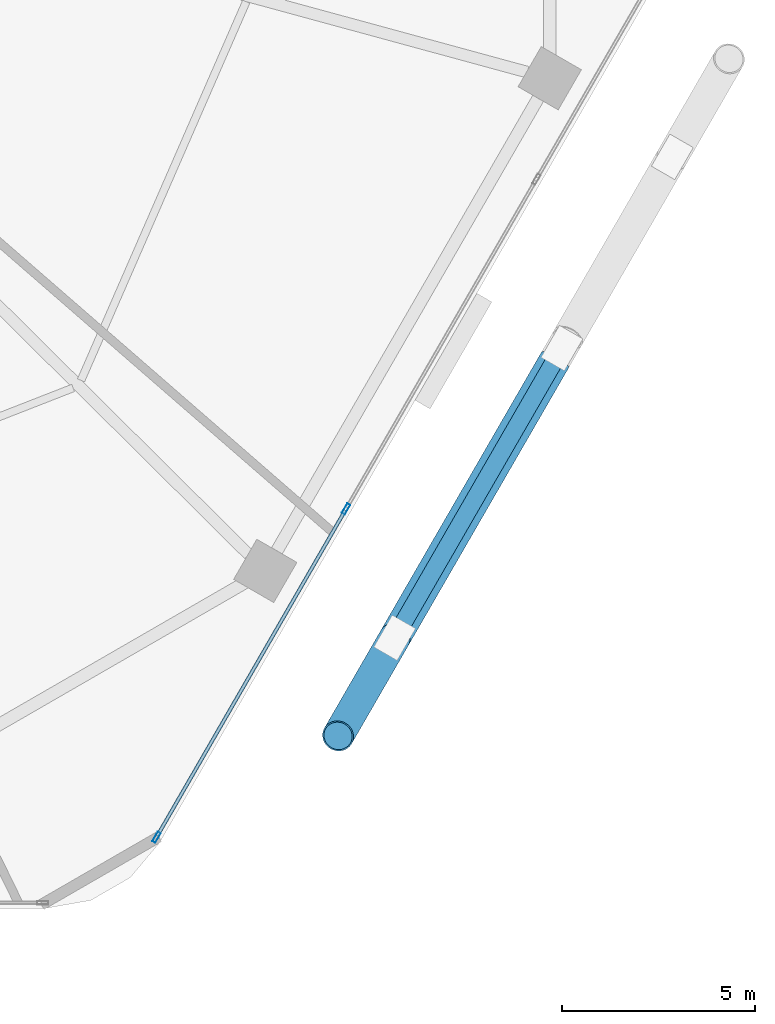
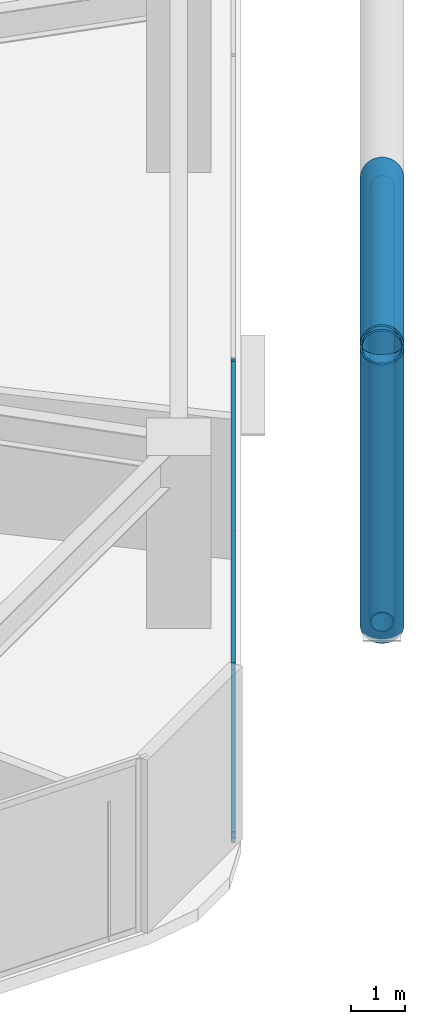
# One storey, part 9 of 30: 7 members, 1 element without a shape of its own.
"""IFC4 building model written with IfcOpenShell, lengths in metres."""

from ifc_helpers import new_model, si_unit, direction, frame, origin, origin_2d, place, context, subcontext, project, spatial, hollow_rectangle, hollow_circle, extrude, material, material_profile, profile_set, type_object, element, aggregate, save


model = new_model("IFC4")

# Units and contexts
model_context = context("Model", 3, precision=1e-05, world=origin(), true_north=direction((0.0, 1.0)))
body_context = subcontext(model_context, "Body", "Model", "MODEL_VIEW")
ifc_project = project(units=[si_unit("LENGTHUNIT", "METRE"), si_unit("AREAUNIT", "SQUARE_METRE"), si_unit("VOLUMEUNIT", "CUBIC_METRE"), si_unit("PLANEANGLEUNIT", "RADIAN"), si_unit("MASSUNIT", "GRAM", prefix="KILO")], contexts=[model_context])

# Site, building, storey
site_placement = place(None, origin())
site = spatial("IfcSite", under=ifc_project, at=site_placement, CompositionType="ELEMENT")
building_placement = place(site_placement, origin())
building = spatial("IfcBuilding", under=site, at=building_placement, Name="Zuhravey Tower", CompositionType="ELEMENT")
storey_placement = place(building_placement, frame((0.0, 0.0, 16.199951171875)))
storey = spatial("IfcBuildingStorey", under=building, at=storey_placement, Name="L04", CompositionType="ELEMENT", Elevation=16.199951171875)

# Curtain wall, members
ifc_material_1 = material(Name="Thermally broken anodised aluminium", Category="aluminium")
curtain_wall_type = type_object("IfcCurtainWallType", Name="School Low-E Unitised Curtain Wall CW1", PredefinedType="NOTDEFINED", material=ifc_material_1)
curtain_wall_placement = place(storey_placement, origin())
curtain_wall = element("IfcCurtainWall", 1, at=curtain_wall_placement, inside=storey, type_object=curtain_wall_type, Name="L04 CW1 CW-L04-F6-1", PredefinedType="NOTDEFINED")
ifc_material_2 = material(Name="Anodised aluminium", Category="aluminium")
ifc_material_profile_1 = material_profile(ifc_material_2, hollow_rectangle(XDim=0.090087890625, YDim=0.284912109375, WallThickness=0.0048828125, at=origin_2d()), Name="ALU-RHS-90x285x5")
ifc_profile_set_1 = profile_set([ifc_material_profile_1], Name="Anodised aluminium")
member_type_1 = type_object("IfcMemberType", Name="Curtain-Wall Mullion 90x180", PredefinedType="MULLION", material=ifc_profile_set_1)
member_1_placement = place(storey_placement, frame((58.612060546875, 13.24853515625, 0.0), z_axis=(0.0, 0.0, 1.0), x_axis=(0.86602552265, -0.499999794119, 0.0)))
member_1 = element("IfcMember", 2, at=member_1_placement, type_object=member_type_1, Name="CW1 mullion 3", PredefinedType="MULLION", context=body_context, shape_type="SweptSolid", body=[
    extrude(hollow_rectangle(XDim=0.090087890625, YDim=0.284912109375, WallThickness=0.0048828125, at=origin_2d()), origin(), (0.0, 0.0, 1.0), 3.920166015625),
])
member_2_placement = place(storey_placement, frame((53.701416015625, 4.742919921875, 0.0), z_axis=(0.0, 0.0, 1.0), x_axis=(0.86602552265, -0.499999794119, 0.0)))
member_2 = element("IfcMember", 3, at=member_2_placement, type_object=member_type_1, Name="CW1 mullion 4", PredefinedType="MULLION", context=body_context, shape_type="SweptSolid", body=[
    extrude(hollow_rectangle(XDim=0.090087890625, YDim=0.284912109375, WallThickness=0.0048828125, at=origin_2d()), origin(), (0.0, 0.0, 1.0), 3.920166015625),
])
ifc_material_profile_2 = material_profile(ifc_material_2, hollow_rectangle(XDim=0.090087890625, YDim=0.14990234375, WallThickness=0.0048828125, at=origin_2d()), Name="ALU-RHS-90x150x5")
ifc_profile_set_2 = profile_set([ifc_material_profile_2], Name="Anodised aluminium")
member_type_2 = type_object("IfcMemberType", Name="Curtain-Wall Transom 90x150", PredefinedType="USERDEFINED", material=ifc_profile_set_2)
member_3_placement = place(storey_placement, frame((58.589599609375, 13.20947265625, 0.045166015625), z_axis=(-0.499989576763, -0.86603142156, 0.0), x_axis=(0.86603142156, -0.499989576763, 0.0)))
member_3 = element("IfcMember", 4, at=member_3_placement, type_object=member_type_2, Name="CW1 transom 3.1", ObjectType="TRANSOM", PredefinedType="USERDEFINED", context=body_context, shape_type="SweptSolid", body=[
    extrude(hollow_rectangle(XDim=0.090087890625, YDim=0.14990234375, WallThickness=0.0048828125, at=origin_2d()), origin(), (0.0, 0.0, 1.0), 9.731201171875),
])
member_4_placement = place(storey_placement, frame((58.589599609375, 13.20947265625, 3.875), z_axis=(-0.499989576763, -0.86603142156, 0.0), x_axis=(0.86603142156, -0.499989576763, 0.0)))
member_4 = element("IfcMember", 5, at=member_4_placement, type_object=member_type_2, Name="CW1 transom 3.2", ObjectType="TRANSOM", PredefinedType="USERDEFINED", context=body_context, shape_type="SweptSolid", body=[
    extrude(hollow_rectangle(XDim=0.090087890625, YDim=0.14990234375, WallThickness=0.0048828125, at=origin_2d()), origin(), (0.0, 0.0, 1.0), 9.731201171875),
])
aggregate(curtain_wall, [member_1, member_2, member_3, member_4])

# Members
ifc_material_3 = material(Name="Steel SM355", Category="steel")
ifc_material_profile_3 = material_profile(ifc_material_3, hollow_circle(Radius=0.228515625, WallThickness=0.02197265625, at=origin_2d()), Name="CHS-457.2x22")
ifc_profile_set_3 = profile_set([ifc_material_profile_3], Name="Steel SM355")
member_type_3 = type_object("IfcMemberType", Name="Exoskeleton Ring Tie CHS457x22", PredefinedType="CHORD", material=ifc_profile_set_3)
member_5_placement = place(storey_placement, frame((59.942138671875, 10.031982421875, -0.493896484375), z_axis=(0.499995593262, 0.866027948001, 0.0), x_axis=(-0.866027948001, 0.499995593262, 0.0)))
element("IfcMember", 6, at=member_5_placement, inside=storey, type_object=member_type_3, Name="L04 Exoskeleton Face 6 Tie EXR1", PredefinedType="CHORD", context=body_context, shape_type="SweptSolid", body=[
    extrude(hollow_circle(Radius=0.228515625, WallThickness=0.02197265625, at=origin_2d()), origin(), (0.0, 0.0, 1.0), 14.107666015625),
])
ifc_material_4 = material(Name="Steel SM460", Category="steel")
ifc_material_profile_4 = material_profile(ifc_material_4, hollow_circle(Radius=0.406494140625, WallThickness=0.035888671875, at=origin_2d()), Name="CHS-812.8x36")
ifc_profile_set_4 = profile_set([ifc_material_profile_4], Name="Steel SM460")
member_type_4 = type_object("IfcMemberType", Name="Exoskeleton Zone 1 Diagrid CHS813x36", PredefinedType="BRACE", material=ifc_profile_set_4)
member_6_placement = place(storey_placement, frame((59.8681640625, 9.904052734375, -0.471923828125), z_axis=(-0.165307317227, -0.286358046605, 0.943754501984), x_axis=(0.866053660865, -0.499951054106, 0.0)))
element("IfcMember", 7, at=member_6_placement, inside=storey, type_object=member_type_4, Name="L04 Face 6 Diagrid Brace 1", PredefinedType="BRACE", context=body_context, shape_type="SweptSolid", body=[
    extrude(hollow_circle(Radius=0.406494140625, WallThickness=0.035888671875, at=origin_2d()), origin(), (0.0, 0.0, 1.0), 8.85400390625),
])
member_7_placement = place(storey_placement, frame((64.018310546875, 17.09228515625, 3.841064453125), z_axis=(-0.470168805096, -0.814366925669, 0.340217290992), x_axis=(0.866028239721, -0.499995087982, 0.0)))
element("IfcMember", 8, at=member_7_placement, inside=storey, type_object=member_type_4, Name="L04 Face 6 Split Diagrid Brace 3B", PredefinedType="BRACE", context=body_context, shape_type="SweptSolid", body=[
    extrude(hollow_circle(Radius=0.406494140625, WallThickness=0.035888671875, at=origin_2d()), origin(), (0.0, 0.0, 1.0), 11.89794921875),
])

save(model, "model.ifc")
